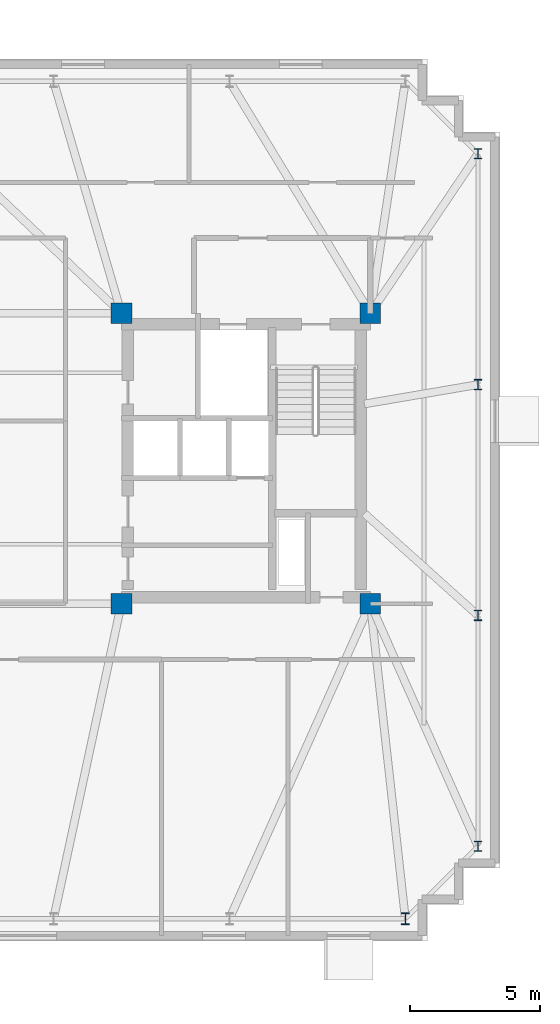
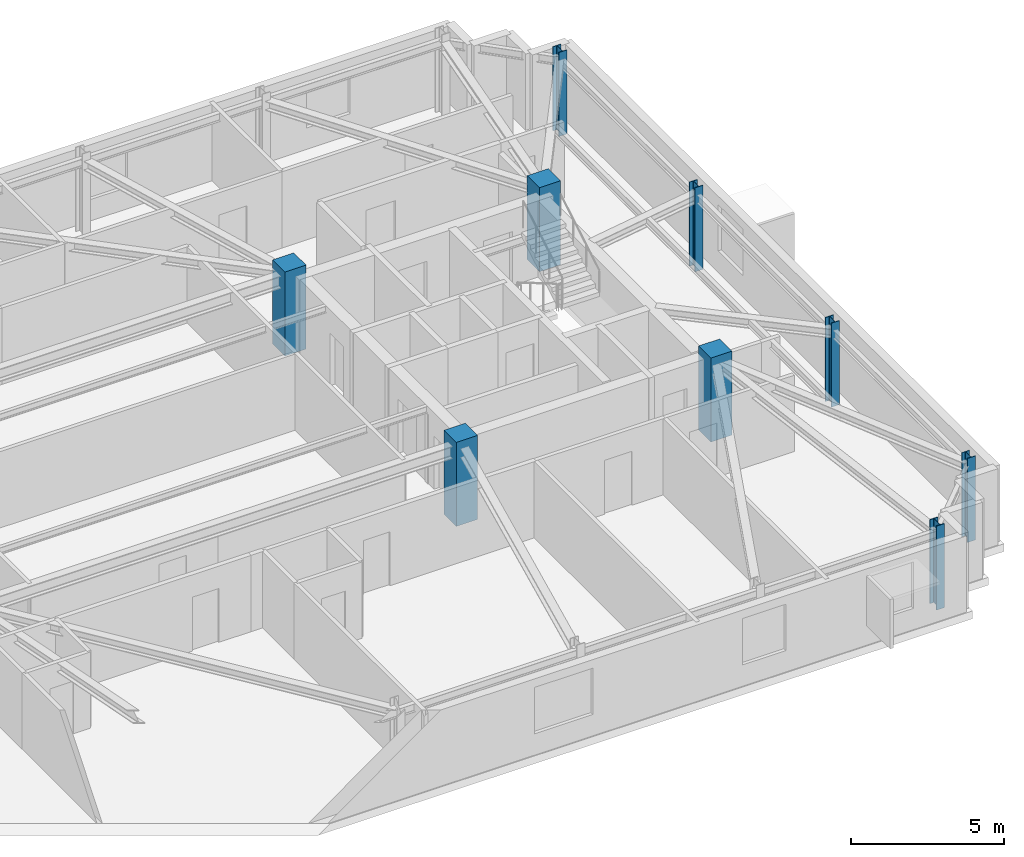
# One storey, part 2 of 11: 9 columns.
"""IFC4 building model written with IfcOpenShell, lengths in metres."""

from ifc_helpers import new_model, si_unit, direction, frame, origin, origin_2d, place, context, subcontext, project, spatial, rectangle, i_section, extrude, material, material_profile, profile_set, type_object, element, save


model = new_model("IFC4")

# Units and contexts
model_context = context("Model", 3, precision=1e-05, world=origin(), true_north=direction((0.0, 1.0)))
body_context = subcontext(model_context, "Body", "Model", "MODEL_VIEW")
ifc_project = project(units=[si_unit("LENGTHUNIT", "METRE"), si_unit("AREAUNIT", "SQUARE_METRE"), si_unit("VOLUMEUNIT", "CUBIC_METRE"), si_unit("PLANEANGLEUNIT", "RADIAN"), si_unit("MASSUNIT", "GRAM", prefix="KILO")], contexts=[model_context])

# Site, building, storey
site_placement = place(None, origin())
site = spatial("IfcSite", under=ifc_project, at=site_placement, CompositionType="ELEMENT")
building_placement = place(site_placement, origin())
building = spatial("IfcBuilding", under=site, at=building_placement, Name="Qobustan Lattice House", CompositionType="ELEMENT")
storey_placement = place(building_placement, frame((0.0, 0.0, 251.75)))
storey = spatial("IfcBuildingStorey", under=building, at=storey_placement, Name="L71", CompositionType="ELEMENT", Elevation=251.75)

# Columns
ifc_material_1 = material(Name="Concrete C50/60", Category="concrete")
ifc_material_profile_1 = material_profile(ifc_material_1, rectangle(XDim=0.800048828125, YDim=0.800048828125, at=origin_2d()), Name="RC800x800")
ifc_profile_set_1 = profile_set([ifc_material_profile_1], Name="Concrete C50/60")
column_type_1 = type_object("IfcColumnType", Name="COL-RC-800", PredefinedType="COLUMN", material=ifc_profile_set_1)
for number, where, z_axis, x_axis, name in (
    (1, (9.199951171875, -5.60009765625, 0.0), (0.0, 0.0, 1.0), (1.0, 0.0, 0.0), "L71 core mega-column CE-SW"),
    (2, (9.199951171875, 5.60009765625, 0.0), (0.0, 0.0, 1.0), (1.0, 0.0, 0.0), "L71 core mega-column CE-NW"),
    (3, (18.800048828125, -5.60009765625, 0.0), (0.0, 0.0, 1.0), (1.0, 0.0, 0.0), "L71 core mega-column CE-SE"),
    (4, (18.800048828125, 5.60009765625, 0.0), (0.0, 0.0, 1.0), (1.0, 0.0, 0.0), "L71 core mega-column CE-NE"),
):
    element("IfcColumn", number, at=place(storey_placement, frame(where, z_axis=z_axis, x_axis=x_axis)), inside=storey, type_object=column_type_1, Name=name, PredefinedType="COLUMN", context=body_context, shape_type="SweptSolid", body=[
        extrude(rectangle(XDim=0.800048828125, YDim=0.800048828125, at=origin_2d()), origin(), (0.0, 0.0, 1.0), 3.35009765625),
    ])
ifc_material_2 = material(Name="Steel S355", Category="steel")
ifc_material_profile_2 = material_profile(ifc_material_2, i_section(OverallWidth=0.300048828125, OverallDepth=0.39990234375, WebThickness=0.013427734375, FlangeThickness=0.02392578125, FilletRadius=0.027099609375, at=origin_2d()), Name="HEB400")
ifc_profile_set_2 = profile_set([ifc_material_profile_2], Name="Steel S355")
column_type_2 = type_object("IfcColumnType", Name="COL-ST-HEB400", PredefinedType="COLUMN", material=ifc_profile_set_2)
for number, where, z_axis, x_axis, name in (
    (5, (22.949951171875, -14.949951171875, 0.0), (0.0, 0.0, 1.0), (1.0, 0.0, 0.0), "L71 B5 perimeter column E1"),
    (6, (22.949951171875, -6.050048828125, 0.0), (0.0, 0.0, 1.0), (1.0, 0.0, 0.0), "L71 B5 perimeter column E2"),
    (7, (22.949951171875, 2.85009765625, 0.0), (0.0, 0.0, 1.0), (1.0, 0.0, 0.0), "L71 B5 perimeter column E3"),
    (8, (22.949951171875, 11.75, 0.0), (0.0, 0.0, 1.0), (1.0, 0.0, 0.0), "L71 B5 perimeter column E4"),
):
    element("IfcColumn", number, at=place(storey_placement, frame(where, z_axis=z_axis, x_axis=x_axis)), inside=storey, type_object=column_type_2, Name=name, PredefinedType="COLUMN", context=body_context, shape_type="SweptSolid", body=[
        extrude(i_section(OverallWidth=0.300048828125, OverallDepth=0.39990234375, WebThickness=0.013427734375, FlangeThickness=0.02392578125, FilletRadius=0.027099609375, at=origin_2d()), origin(), (0.0, 0.0, 1.0), 3.35009765625),
    ])
ifc_material_3 = material(Name="Steel S355", Category="steel")
ifc_material_profile_3 = material_profile(ifc_material_3, i_section(OverallWidth=0.300048828125, OverallDepth=0.449951171875, WebThickness=0.013916015625, FlangeThickness=0.02587890625, FilletRadius=0.027099609375, at=origin_2d()), Name="HEB450")
ifc_profile_set_3 = profile_set([ifc_material_profile_3], Name="Steel S355")
column_type_3 = type_object("IfcColumnType", Name="COL-ST-HEB450", PredefinedType="COLUMN", material=ifc_profile_set_3)
column_placement = place(storey_placement, frame((20.14990234375, -17.75, 0.0), z_axis=(0.0, 0.0, 1.0), x_axis=(1.0, 0.0, 0.0)))
element("IfcColumn", 9, at=column_placement, inside=storey, type_object=column_type_3, Name="L71 B5 perimeter column S7", PredefinedType="COLUMN", context=body_context, shape_type="SweptSolid", body=[
    extrude(i_section(OverallWidth=0.300048828125, OverallDepth=0.449951171875, WebThickness=0.013916015625, FlangeThickness=0.02587890625, FilletRadius=0.027099609375, at=origin_2d()), origin(), (0.0, 0.0, 1.0), 3.35009765625),
])

save(model, "model.ifc")
